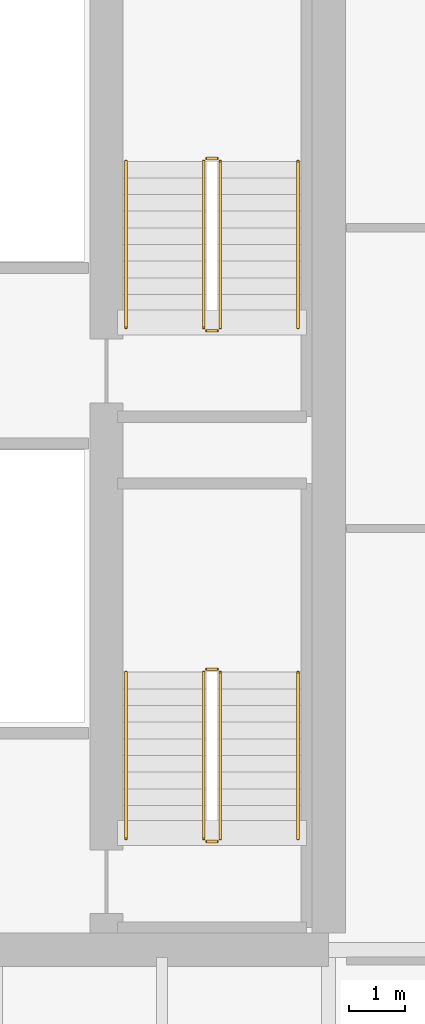
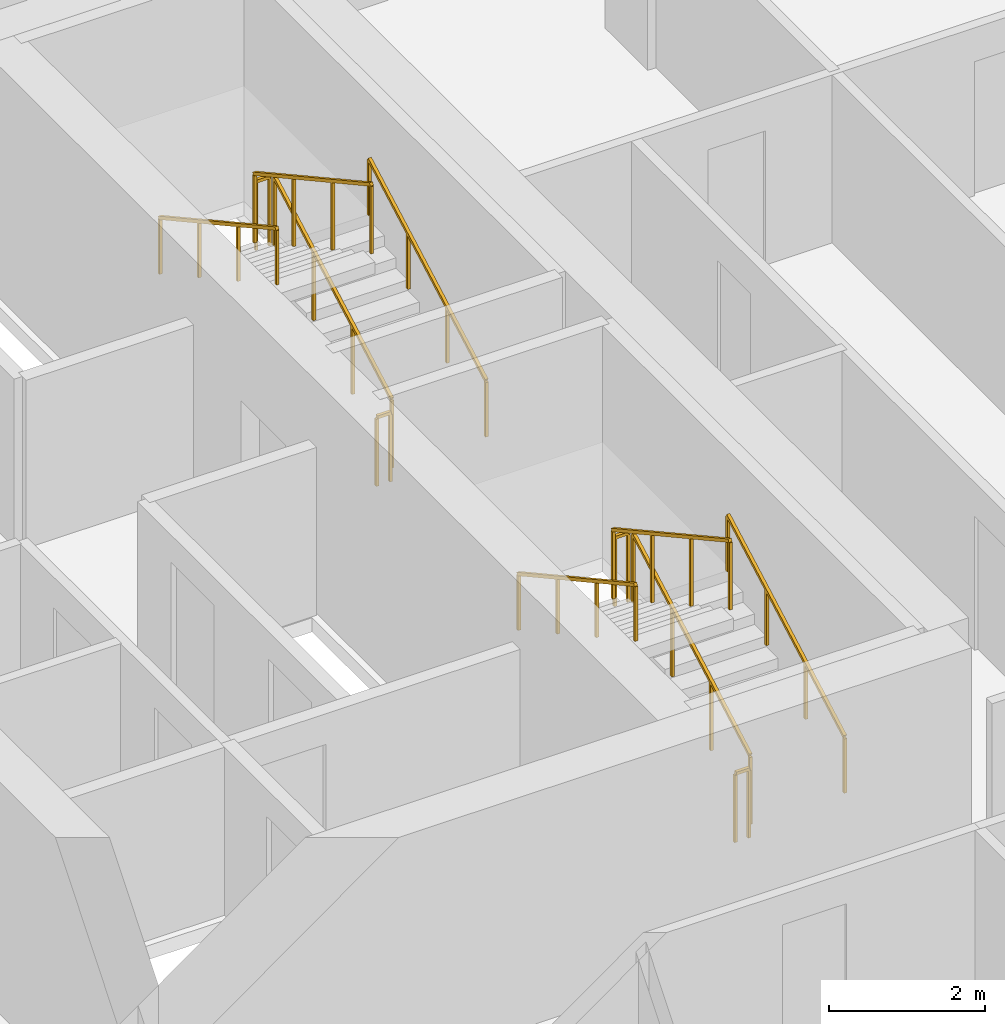
# One storey, part 30 of 31: 12 railings.
"""IFC4 building model written with IfcOpenShell, lengths in metres."""

from ifc_helpers import new_model, si_unit, direction, frame, origin, place, context, subcontext, project, spatial, rectangle, extrude, material, type_object, element, save


model = new_model("IFC4")

# Units and contexts
model_context = context("Model", 3, precision=1e-05, world=origin(), true_north=direction((0.0, 1.0)))
body_context = subcontext(model_context, "Body", "Model", "MODEL_VIEW")
ifc_project = project(units=[si_unit("LENGTHUNIT", "METRE"), si_unit("AREAUNIT", "SQUARE_METRE"), si_unit("VOLUMEUNIT", "CUBIC_METRE"), si_unit("PLANEANGLEUNIT", "RADIAN"), si_unit("MASSUNIT", "GRAM", prefix="KILO")], contexts=[model_context])

# Site, building, storey
site_placement = place(None, origin())
site = spatial("IfcSite", under=ifc_project, at=site_placement, CompositionType="ELEMENT")
building_placement = place(site_placement, origin())
building = spatial("IfcBuilding", under=site, at=building_placement, Name="Tanjung Sevakor Pilgrim Tower", CompositionType="ELEMENT")
storey_placement = place(building_placement, frame((0.0, 0.0, 58.739990234375)))
storey = spatial("IfcBuildingStorey", under=building, at=storey_placement, Name="L16", CompositionType="ELEMENT", Elevation=58.739990234375)

# Railings
ifc_material_1 = material(Name="Steel S355J2", Category="steel")
railing_type_1 = type_object("IfcRailingType", Name="RL-STAIR-GUARD", PredefinedType="GUARDRAIL", material=ifc_material_1)
railing_1_placement = place(storey_placement, frame((88.050048828125, 26.60009765625, 0.1650390625)))
element("IfcRailing", 1, at=railing_1_placement, inside=storey, type_object=railing_type_1, Name="L16 TS-E1 stair guard 1", PredefinedType="GUARDRAIL", context=body_context, shape_type="SweptSolid", body=[
    extrude(rectangle(XDim=0.0479, YDim=0.0479), frame((0.0, 0.0, 1.076171875), z_axis=(0.0, 0.876227952683, 0.48189685093), x_axis=(-1.0, 0.0, 0.0)), (0.0, 0.0, 1.0), 3.423828125),
    extrude(rectangle(XDim=0.042, YDim=0.042), origin(), (0.0, 0.0, 1.0), 1.052001953125),
    extrude(rectangle(XDim=0.042, YDim=0.042), frame((0.0, 1.0, 0.550048828125)), (0.0, 0.0, 1.0), 1.052001953125),
    extrude(rectangle(XDim=0.042, YDim=0.042), frame((0.0, 2.0, 1.099853515625)), (0.0, 0.0, 1.0), 1.052001953125),
    extrude(rectangle(XDim=0.042, YDim=0.042), frame((0.0, 3.0, 1.64990234375)), (0.0, 0.0, 1.0), 1.052001953125),
])
railing_2_placement = place(storey_placement, frame((88.0, 29.64990234375, 1.81494140625)))
element("IfcRailing", 2, at=railing_2_placement, inside=storey, type_object=railing_type_1, Name="L16 TS-E1 stair guard 2", PredefinedType="GUARDRAIL", context=body_context, shape_type="SweptSolid", body=[
    extrude(rectangle(XDim=0.0479, YDim=0.0479), frame((0.0, 0.0, 1.076171875), z_axis=(-1.0, 0.0, 0.0), x_axis=(0.0, -1.0, 0.0)), (0.0, 0.0, 1.0), 0.199951171875),
    extrude(rectangle(XDim=0.042, YDim=0.042), origin(), (0.0, 0.0, 1.0), 1.052001953125),
    extrude(rectangle(XDim=0.042, YDim=0.042), frame((-0.199951171875, 0.0, 0.0)), (0.0, 0.0, 1.0), 1.052001953125),
])
railing_3_placement = place(storey_placement, frame((87.75, 29.60009765625, 1.97998046875)))
element("IfcRailing", 3, at=railing_3_placement, inside=storey, type_object=railing_type_1, Name="L16 TS-E1 stair guard 3", PredefinedType="GUARDRAIL", context=body_context, shape_type="SweptSolid", body=[
    extrude(rectangle(XDim=0.0479, YDim=0.0479), frame((0.0, 0.0, 1.076171875), z_axis=(0.0, -0.876197842262, 0.481951596342), x_axis=(1.0, 0.0, 0.0)), (0.0, 0.0, 1.0), 3.423828125),
    extrude(rectangle(XDim=0.042, YDim=0.042), origin(), (0.0, 0.0, 1.0), 1.052001953125),
    extrude(rectangle(XDim=0.042, YDim=0.042), frame((0.0, -1.0, 0.550048828125)), (0.0, 0.0, 1.0), 1.052001953125),
    extrude(rectangle(XDim=0.042, YDim=0.042), frame((0.0, -2.0, 1.10009765625)), (0.0, 0.0, 1.0), 1.052001953125),
    extrude(rectangle(XDim=0.042, YDim=0.042), frame((0.0, -3.0, 1.650146484375)), (0.0, 0.0, 1.0), 1.052001953125),
])
railing_4_placement = place(storey_placement, frame((88.0, 26.550048828125, 0.0)))
element("IfcRailing", 4, at=railing_4_placement, inside=storey, type_object=railing_type_1, Name="L16 TS-E1 stair guard 4", PredefinedType="GUARDRAIL", context=body_context, shape_type="SweptSolid", body=[
    extrude(rectangle(XDim=0.0479, YDim=0.0479), frame((0.0, 0.0, 1.076171875), z_axis=(-1.0, 0.0, 0.0), x_axis=(0.0, -1.0, 0.0)), (0.0, 0.0, 1.0), 0.199951171875),
    extrude(rectangle(XDim=0.042, YDim=0.042), origin(), (0.0, 0.0, 1.0), 1.052001953125),
    extrude(rectangle(XDim=0.042, YDim=0.042), frame((-0.199951171875, 0.0, 0.0)), (0.0, 0.0, 1.0), 1.052001953125),
])
railing_5_placement = place(storey_placement, frame((88.050048828125, 35.800048828125, 0.1650390625)))
element("IfcRailing", 5, at=railing_5_placement, inside=storey, type_object=railing_type_1, Name="L16 TS-E2 stair guard 1", PredefinedType="GUARDRAIL", context=body_context, shape_type="SweptSolid", body=[
    extrude(rectangle(XDim=0.0479, YDim=0.0479), frame((0.0, 0.0, 1.076171875), z_axis=(0.0, 0.876227952683, 0.48189685093), x_axis=(-1.0, 0.0, 0.0)), (0.0, 0.0, 1.0), 3.423828125),
    extrude(rectangle(XDim=0.042, YDim=0.042), origin(), (0.0, 0.0, 1.0), 1.052001953125),
    extrude(rectangle(XDim=0.042, YDim=0.042), frame((0.0, 1.0, 0.550048828125)), (0.0, 0.0, 1.0), 1.052001953125),
    extrude(rectangle(XDim=0.042, YDim=0.042), frame((0.0, 2.0, 1.099853515625)), (0.0, 0.0, 1.0), 1.052001953125),
    extrude(rectangle(XDim=0.042, YDim=0.042), frame((0.0, 3.0, 1.64990234375)), (0.0, 0.0, 1.0), 1.052001953125),
])
railing_6_placement = place(storey_placement, frame((88.0, 38.85009765625, 1.81494140625)))
element("IfcRailing", 6, at=railing_6_placement, inside=storey, type_object=railing_type_1, Name="L16 TS-E2 stair guard 2", PredefinedType="GUARDRAIL", context=body_context, shape_type="SweptSolid", body=[
    extrude(rectangle(XDim=0.0479, YDim=0.0479), frame((0.0, 0.0, 1.076171875), z_axis=(-1.0, 0.0, 0.0), x_axis=(0.0, -1.0, 0.0)), (0.0, 0.0, 1.0), 0.199951171875),
    extrude(rectangle(XDim=0.042, YDim=0.042), origin(), (0.0, 0.0, 1.0), 1.052001953125),
    extrude(rectangle(XDim=0.042, YDim=0.042), frame((-0.199951171875, 0.0, 0.0)), (0.0, 0.0, 1.0), 1.052001953125),
])
railing_7_placement = place(storey_placement, frame((87.75, 38.800048828125, 1.97998046875)))
element("IfcRailing", 7, at=railing_7_placement, inside=storey, type_object=railing_type_1, Name="L16 TS-E2 stair guard 3", PredefinedType="GUARDRAIL", context=body_context, shape_type="SweptSolid", body=[
    extrude(rectangle(XDim=0.0479, YDim=0.0479), frame((0.0, 0.0, 1.076171875), z_axis=(0.0, -0.876197842262, 0.481951596342), x_axis=(1.0, 0.0, 0.0)), (0.0, 0.0, 1.0), 3.423828125),
    extrude(rectangle(XDim=0.042, YDim=0.042), origin(), (0.0, 0.0, 1.0), 1.052001953125),
    extrude(rectangle(XDim=0.042, YDim=0.042), frame((0.0, -1.0, 0.550048828125)), (0.0, 0.0, 1.0), 1.052001953125),
    extrude(rectangle(XDim=0.042, YDim=0.042), frame((0.0, -2.0, 1.10009765625)), (0.0, 0.0, 1.0), 1.052001953125),
    extrude(rectangle(XDim=0.042, YDim=0.042), frame((0.0, -3.0, 1.650146484375)), (0.0, 0.0, 1.0), 1.052001953125),
])
railing_8_placement = place(storey_placement, frame((88.0, 35.75, 0.0)))
element("IfcRailing", 8, at=railing_8_placement, inside=storey, type_object=railing_type_1, Name="L16 TS-E2 stair guard 4", PredefinedType="GUARDRAIL", context=body_context, shape_type="SweptSolid", body=[
    extrude(rectangle(XDim=0.0479, YDim=0.0479), frame((0.0, 0.0, 1.076171875), z_axis=(-1.0, 0.0, 0.0), x_axis=(0.0, -1.0, 0.0)), (0.0, 0.0, 1.0), 0.199951171875),
    extrude(rectangle(XDim=0.042, YDim=0.042), origin(), (0.0, 0.0, 1.0), 1.052001953125),
    extrude(rectangle(XDim=0.042, YDim=0.042), frame((-0.199951171875, 0.0, 0.0)), (0.0, 0.0, 1.0), 1.052001953125),
])
ifc_material_2 = material(Name="Steel S355J2", Category="steel")
railing_type_2 = type_object("IfcRailingType", Name="RL-STAIR-HAND", PredefinedType="HANDRAIL", material=ifc_material_2)
railing_9_placement = place(storey_placement, frame((89.449951171875, 26.60009765625, 0.1650390625)))
element("IfcRailing", 9, at=railing_9_placement, inside=storey, type_object=railing_type_2, Name="L16 TS-E1 stair handrail 1", PredefinedType="HANDRAIL", context=body_context, shape_type="SweptSolid", body=[
    extrude(rectangle(XDim=0.0479, YDim=0.0479), frame((0.0, 0.0, 0.8759765625), z_axis=(0.0, 0.876227952683, 0.48189685093), x_axis=(-1.0, 0.0, 0.0)), (0.0, 0.0, 1.0), 3.423828125),
    extrude(rectangle(XDim=0.042, YDim=0.042), origin(), (0.0, 0.0, 1.0), 0.851806640625),
    extrude(rectangle(XDim=0.042, YDim=0.042), frame((0.0, 1.0, 0.550048828125)), (0.0, 0.0, 1.0), 0.851806640625),
    extrude(rectangle(XDim=0.042, YDim=0.042), frame((0.0, 2.0, 1.099853515625)), (0.0, 0.0, 1.0), 0.851806640625),
    extrude(rectangle(XDim=0.042, YDim=0.042), frame((0.0, 3.0, 1.64990234375)), (0.0, 0.0, 1.0), 0.851806640625),
])
railing_10_placement = place(storey_placement, frame((86.35009765625, 29.60009765625, 1.97998046875)))
element("IfcRailing", 10, at=railing_10_placement, inside=storey, type_object=railing_type_2, Name="L16 TS-E1 stair handrail 2", PredefinedType="HANDRAIL", context=body_context, shape_type="SweptSolid", body=[
    extrude(rectangle(XDim=0.0479, YDim=0.0479), frame((0.0, 0.0, 0.8759765625), z_axis=(0.0, -0.876197842262, 0.481951596342), x_axis=(1.0, 0.0, 0.0)), (0.0, 0.0, 1.0), 3.423828125),
    extrude(rectangle(XDim=0.042, YDim=0.042), origin(), (0.0, 0.0, 1.0), 0.851806640625),
    extrude(rectangle(XDim=0.042, YDim=0.042), frame((0.0, -1.0, 0.550048828125)), (0.0, 0.0, 1.0), 0.851806640625),
    extrude(rectangle(XDim=0.042, YDim=0.042), frame((0.0, -2.0, 1.10009765625)), (0.0, 0.0, 1.0), 0.851806640625),
    extrude(rectangle(XDim=0.042, YDim=0.042), frame((0.0, -3.0, 1.650146484375)), (0.0, 0.0, 1.0), 0.851806640625),
])
railing_11_placement = place(storey_placement, frame((89.449951171875, 35.800048828125, 0.1650390625)))
element("IfcRailing", 11, at=railing_11_placement, inside=storey, type_object=railing_type_2, Name="L16 TS-E2 stair handrail 1", PredefinedType="HANDRAIL", context=body_context, shape_type="SweptSolid", body=[
    extrude(rectangle(XDim=0.0479, YDim=0.0479), frame((0.0, 0.0, 0.8759765625), z_axis=(0.0, 0.876227952683, 0.48189685093), x_axis=(-1.0, 0.0, 0.0)), (0.0, 0.0, 1.0), 3.423828125),
    extrude(rectangle(XDim=0.042, YDim=0.042), origin(), (0.0, 0.0, 1.0), 0.851806640625),
    extrude(rectangle(XDim=0.042, YDim=0.042), frame((0.0, 1.0, 0.550048828125)), (0.0, 0.0, 1.0), 0.851806640625),
    extrude(rectangle(XDim=0.042, YDim=0.042), frame((0.0, 2.0, 1.099853515625)), (0.0, 0.0, 1.0), 0.851806640625),
    extrude(rectangle(XDim=0.042, YDim=0.042), frame((0.0, 3.0, 1.64990234375)), (0.0, 0.0, 1.0), 0.851806640625),
])
railing_12_placement = place(storey_placement, frame((86.35009765625, 38.800048828125, 1.97998046875)))
element("IfcRailing", 12, at=railing_12_placement, inside=storey, type_object=railing_type_2, Name="L16 TS-E2 stair handrail 2", PredefinedType="HANDRAIL", context=body_context, shape_type="SweptSolid", body=[
    extrude(rectangle(XDim=0.0479, YDim=0.0479), frame((0.0, 0.0, 0.8759765625), z_axis=(0.0, -0.876197842262, 0.481951596342), x_axis=(1.0, 0.0, 0.0)), (0.0, 0.0, 1.0), 3.423828125),
    extrude(rectangle(XDim=0.042, YDim=0.042), origin(), (0.0, 0.0, 1.0), 0.851806640625),
    extrude(rectangle(XDim=0.042, YDim=0.042), frame((0.0, -1.0, 0.550048828125)), (0.0, 0.0, 1.0), 0.851806640625),
    extrude(rectangle(XDim=0.042, YDim=0.042), frame((0.0, -2.0, 1.10009765625)), (0.0, 0.0, 1.0), 0.851806640625),
    extrude(rectangle(XDim=0.042, YDim=0.042), frame((0.0, -3.0, 1.650146484375)), (0.0, 0.0, 1.0), 0.851806640625),
])

save(model, "model.ifc")
